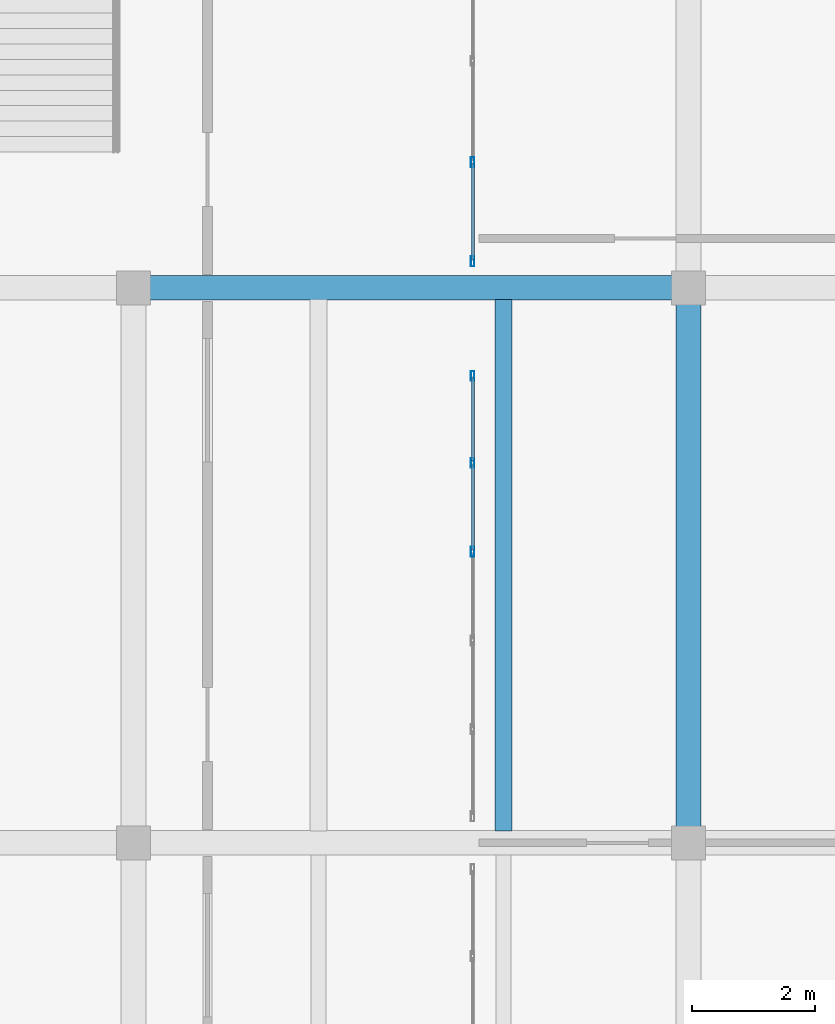
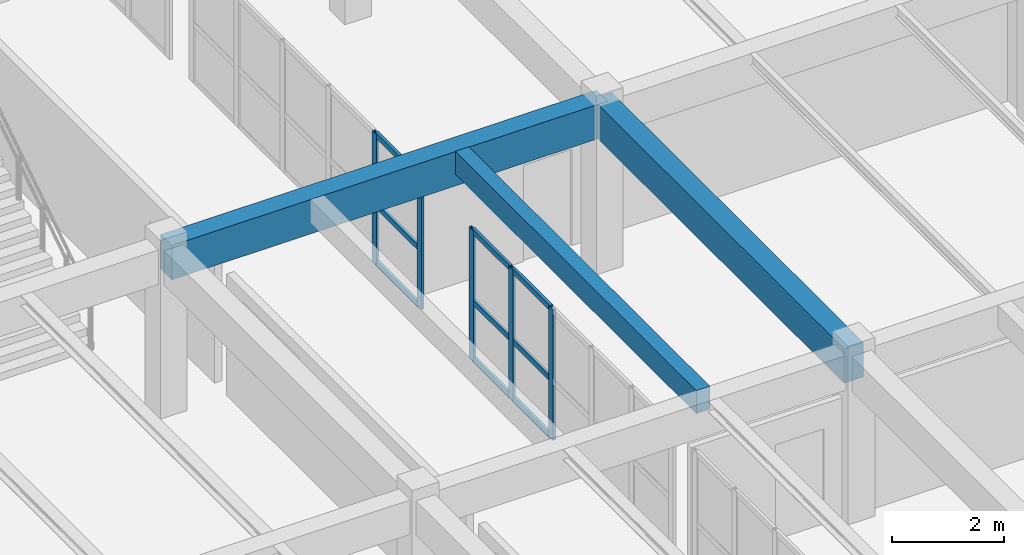
# One storey, part 85 of 156: 14 members, 3 beams, 2 elements without a shape of their own.
"""IFC4 building model written with IfcOpenShell, lengths in metres."""

from ifc_helpers import new_model, si_unit, direction, frame, origin, origin_2d, place, context, subcontext, project, spatial, rectangle, hollow_rectangle, extrude, material, layer, layer_set, material_profile, profile_set, type_object, element, aggregate, save


model = new_model("IFC4")

# Units and contexts
model_context = context("Model", 3, precision=1e-05, world=origin(), true_north=direction((0.0, 1.0)))
body_context = subcontext(model_context, "Body", "Model", "MODEL_VIEW")
ifc_project = project(units=[si_unit("LENGTHUNIT", "METRE"), si_unit("AREAUNIT", "SQUARE_METRE"), si_unit("VOLUMEUNIT", "CUBIC_METRE"), si_unit("PLANEANGLEUNIT", "RADIAN"), si_unit("MASSUNIT", "GRAM", prefix="KILO")], contexts=[model_context])

# Site, building, storey
site_placement = place(None, origin())
site = spatial("IfcSite", under=ifc_project, at=site_placement, CompositionType="ELEMENT")
building_placement = place(site_placement, origin())
building = spatial("IfcBuilding", under=site, at=building_placement, Name="Ornek Quay Market", CompositionType="ELEMENT")
storey_placement = place(building_placement, frame((0.0, 0.0, 4.5)))
storey = spatial("IfcBuildingStorey", under=building, at=storey_placement, Name="L01", CompositionType="ELEMENT", Elevation=4.5)

# Beams
ifc_material_1 = material(Name="Concrete C35/45", Category="concrete")
ifc_material_profile_1 = material_profile(ifc_material_1, rectangle(XDim=0.39990234375, YDim=0.75, at=origin_2d()), Name="RC 400x750", Category="concrete")
ifc_profile_set_1 = profile_set([ifc_material_profile_1], Name="Concrete C35/45")
beam_type_1 = type_object("IfcBeamType", Name="BM-CS-400x750", PredefinedType="BEAM", material=ifc_profile_set_1)
for number, where, z_axis, x_axis, name in (
    (1, (162.0, 47.0, 3.27490234375), (1.0, 0.0, 0.0), (0.0, 1.0, 0.0), "Primary beam B-CS1-038"),
    (2, (171.0, 38.0, 3.27490234375), (0.0, 1.0, 0.0), (-1.0, 0.0, 0.0), "Primary beam B-CS1-051"),
):
    element("IfcBeam", number, at=place(storey_placement, frame(where, z_axis=z_axis, x_axis=x_axis)), inside=storey, type_object=beam_type_1, Name=name, PredefinedType="BEAM", context=body_context, shape_type="SweptSolid", body=[
        extrude(rectangle(XDim=0.39990234375, YDim=0.75, at=origin_2d()), origin(), (0.0, 0.0, 1.0), 9.0),
    ])
ifc_material_profile_2 = material_profile(ifc_material_1, rectangle(XDim=0.280029296875, YDim=0.5, at=origin_2d()), Name="RC 280x500", Category="concrete")
ifc_profile_set_2 = profile_set([ifc_material_profile_2], Name="Concrete C35/45")
beam_type_2 = type_object("IfcBeamType", Name="BM-SEC-280x500", PredefinedType="JOIST", material=ifc_profile_set_2)
beam_placement = place(storey_placement, frame((168.0, 38.19189453125, 3.39990234375), z_axis=(0.0, 1.0, 0.0), x_axis=(-1.0, 0.0, 0.0)))
element("IfcBeam", 3, at=beam_placement, inside=storey, type_object=beam_type_2, Name="Secondary joist B-SC2-088", PredefinedType="JOIST", context=body_context, shape_type="SweptSolid", body=[
    extrude(rectangle(XDim=0.280029296875, YDim=0.5, at=origin_2d()), origin(), (0.0, 0.0, 1.0), 8.6162109375),
])

# Curtain wall, members
ifc_material_2 = material(Name="Anodised bronze aluminium and triple low-e glass", Category="aluminium")
ifc_layer = layer(ifc_material_2, 0.139892578125, Name="Anodised bronze aluminium and triple low-e glass", Category="aluminium")
ifc_layer_set = layer_set([ifc_layer], Name="Anodised bronze aluminium and triple low-e glass")
curtain_wall_type = type_object("IfcCurtainWallType", Name="CW-GALLERY-INT", PredefinedType="USERDEFINED", material=ifc_layer_set)
curtain_wall_1_placement = place(storey_placement, origin())
curtain_wall_1 = element("IfcCurtainWall", 4, at=curtain_wall_1_placement, inside=storey, type_object=curtain_wall_type, Name="Curtain wall CW-164", ObjectType="CURTAIN WALL", PredefinedType="USERDEFINED")
ifc_material_3 = material(Name="Anodised aluminium 6063-T6", Category="aluminium")
ifc_material_profile_3 = material_profile(ifc_material_3, hollow_rectangle(XDim=0.06005859375, YDim=0.159912109375, WallThickness=0.00390625, at=origin_2d()), Name="CW-MUL-60x160", Category="aluminium")
ifc_profile_set_3 = profile_set([ifc_material_profile_3], Name="Anodised aluminium 6063-T6")
member_type_1 = type_object("IfcMemberType", Name="CW-MUL-60x160", PredefinedType="MULLION", material=ifc_profile_set_3)
member_1_placement = place(storey_placement, frame((167.5, 42.719970703125, 0.0), z_axis=(0.0, 0.0, 1.0), x_axis=(-1.0, 0.0, 0.0)))
member_1 = element("IfcMember", 5, at=member_1_placement, type_object=member_type_1, Name="CW-164 mullion 4", PredefinedType="MULLION", context=body_context, shape_type="SweptSolid", body=[
    extrude(hollow_rectangle(XDim=0.06005859375, YDim=0.159912109375, WallThickness=0.00390625, at=origin_2d()), origin(), (0.0, 0.0, 1.0), 2.85009765625),
])
member_2_placement = place(storey_placement, frame((167.5, 44.159912109375, 0.0), z_axis=(0.0, 0.0, 1.0), x_axis=(-1.0, 0.0, 0.0)))
member_2 = element("IfcMember", 6, at=member_2_placement, type_object=member_type_1, Name="CW-164 mullion 5", PredefinedType="MULLION", context=body_context, shape_type="SweptSolid", body=[
    extrude(hollow_rectangle(XDim=0.06005859375, YDim=0.159912109375, WallThickness=0.00390625, at=origin_2d()), origin(), (0.0, 0.0, 1.0), 2.85009765625),
])
member_3_placement = place(storey_placement, frame((167.5, 45.570068359375, 0.0), z_axis=(0.0, 0.0, 1.0), x_axis=(-1.0, 0.0, 0.0)))
member_3 = element("IfcMember", 7, at=member_3_placement, type_object=member_type_1, Name="CW-164 mullion 6", PredefinedType="MULLION", context=body_context, shape_type="SweptSolid", body=[
    extrude(hollow_rectangle(XDim=0.06005859375, YDim=0.159912109375, WallThickness=0.00390625, at=origin_2d()), origin(), (0.0, 0.0, 1.0), 2.85009765625),
])

curtain_wall_2_placement = place(storey_placement, origin())
curtain_wall_2 = element("IfcCurtainWall", 8, at=curtain_wall_2_placement, inside=storey, type_object=curtain_wall_type, Name="Curtain wall CW-165", ObjectType="CURTAIN WALL", PredefinedType="USERDEFINED")
member_4_placement = place(storey_placement, frame((167.5, 47.429931640625, 0.0), z_axis=(0.0, 0.0, 1.0), x_axis=(-1.0, 0.0, 0.0)))
member_4 = element("IfcMember", 9, at=member_4_placement, type_object=member_type_1, Name="CW-165 mullion 1", PredefinedType="MULLION", context=body_context, shape_type="SweptSolid", body=[
    extrude(hollow_rectangle(XDim=0.06005859375, YDim=0.159912109375, WallThickness=0.00390625, at=origin_2d()), origin(), (0.0, 0.0, 1.0), 2.85009765625),
])
member_5_placement = place(storey_placement, frame((167.5, 49.0400390625, 0.0), z_axis=(0.0, 0.0, 1.0), x_axis=(-1.0, 0.0, 0.0)))
member_5 = element("IfcMember", 10, at=member_5_placement, type_object=member_type_1, Name="CW-165 mullion 2", PredefinedType="MULLION", context=body_context, shape_type="SweptSolid", body=[
    extrude(hollow_rectangle(XDim=0.06005859375, YDim=0.159912109375, WallThickness=0.00390625, at=origin_2d()), origin(), (0.0, 0.0, 1.0), 2.85009765625),
])

# Member
ifc_material_profile_4 = material_profile(ifc_material_3, hollow_rectangle(XDim=0.06005859375, YDim=0.1201171875, WallThickness=0.00390625, at=origin_2d()), Name="CW-TRN-60x120", Category="aluminium")
ifc_profile_set_4 = profile_set([ifc_material_profile_4], Name="Anodised aluminium 6063-T6")
member_type_2 = type_object("IfcMemberType", Name="CW-TRN-60x120", PredefinedType="USERDEFINED", material=ifc_profile_set_4)
member_6_placement = place(storey_placement, frame((167.5, 42.75, 0.030029296875), z_axis=(0.0, 1.0, 0.0), x_axis=(-1.0, 0.0, 0.0)))
member_6 = element("IfcMember", 11, at=member_6_placement, type_object=member_type_2, Name="CW-164 transom 4.1", ObjectType="TRANSOM", PredefinedType="USERDEFINED", context=body_context, shape_type="SweptSolid", body=[
    extrude(hollow_rectangle(XDim=0.06005859375, YDim=0.1201171875, WallThickness=0.00390625, at=origin_2d()), origin(), (0.0, 0.0, 1.0), 1.3798828125),
])

member_7_placement = place(storey_placement, frame((167.5, 42.75, 1.282470703125), z_axis=(0.0, 1.0, 0.0), x_axis=(-1.0, 0.0, 0.0)))
member_7 = element("IfcMember", 12, at=member_7_placement, type_object=member_type_2, Name="CW-164 transom 4.2", ObjectType="TRANSOM", PredefinedType="USERDEFINED", context=body_context, shape_type="SweptSolid", body=[
    extrude(hollow_rectangle(XDim=0.06005859375, YDim=0.1201171875, WallThickness=0.00390625, at=origin_2d()), origin(), (0.0, 0.0, 1.0), 1.3798828125),
])

member_8_placement = place(storey_placement, frame((167.5, 42.75, 2.820068359375), z_axis=(0.0, 1.0, 0.0), x_axis=(-1.0, 0.0, 0.0)))
member_8 = element("IfcMember", 13, at=member_8_placement, type_object=member_type_2, Name="CW-164 transom 4.3", ObjectType="TRANSOM", PredefinedType="USERDEFINED", context=body_context, shape_type="SweptSolid", body=[
    extrude(hollow_rectangle(XDim=0.06005859375, YDim=0.1201171875, WallThickness=0.00390625, at=origin_2d()), origin(), (0.0, 0.0, 1.0), 1.3798828125),
])

member_9_placement = place(storey_placement, frame((167.5, 44.18994140625, 0.030029296875), z_axis=(0.0, 1.0, 0.0), x_axis=(-1.0, 0.0, 0.0)))
member_9 = element("IfcMember", 14, at=member_9_placement, type_object=member_type_2, Name="CW-164 transom 5.1", ObjectType="TRANSOM", PredefinedType="USERDEFINED", context=body_context, shape_type="SweptSolid", body=[
    extrude(hollow_rectangle(XDim=0.06005859375, YDim=0.1201171875, WallThickness=0.00390625, at=origin_2d()), origin(), (0.0, 0.0, 1.0), 1.35009765625),
])

member_10_placement = place(storey_placement, frame((167.5, 44.18994140625, 1.282470703125), z_axis=(0.0, 1.0, 0.0), x_axis=(-1.0, 0.0, 0.0)))
member_10 = element("IfcMember", 15, at=member_10_placement, type_object=member_type_2, Name="CW-164 transom 5.2", ObjectType="TRANSOM", PredefinedType="USERDEFINED", context=body_context, shape_type="SweptSolid", body=[
    extrude(hollow_rectangle(XDim=0.06005859375, YDim=0.1201171875, WallThickness=0.00390625, at=origin_2d()), origin(), (0.0, 0.0, 1.0), 1.35009765625),
])

member_11_placement = place(storey_placement, frame((167.5, 44.18994140625, 2.820068359375), z_axis=(0.0, 1.0, 0.0), x_axis=(-1.0, 0.0, 0.0)))
member_11 = element("IfcMember", 16, at=member_11_placement, type_object=member_type_2, Name="CW-164 transom 5.3", ObjectType="TRANSOM", PredefinedType="USERDEFINED", context=body_context, shape_type="SweptSolid", body=[
    extrude(hollow_rectangle(XDim=0.06005859375, YDim=0.1201171875, WallThickness=0.00390625, at=origin_2d()), origin(), (0.0, 0.0, 1.0), 1.35009765625),
])

aggregate(curtain_wall_1, [member_1, member_2, member_3, member_6, member_7, member_8, member_9, member_10, member_11])

member_12_placement = place(storey_placement, frame((167.5, 47.4599609375, 0.030029296875), z_axis=(0.0, 1.0, 0.0), x_axis=(-1.0, 0.0, 0.0)))
member_12 = element("IfcMember", 17, at=member_12_placement, type_object=member_type_2, Name="CW-165 transom 1.1", ObjectType="TRANSOM", PredefinedType="USERDEFINED", context=body_context, shape_type="SweptSolid", body=[
    extrude(hollow_rectangle(XDim=0.06005859375, YDim=0.1201171875, WallThickness=0.00390625, at=origin_2d()), origin(), (0.0, 0.0, 1.0), 1.550048828125),
])

member_13_placement = place(storey_placement, frame((167.5, 47.4599609375, 1.282470703125), z_axis=(0.0, 1.0, 0.0), x_axis=(-1.0, 0.0, 0.0)))
member_13 = element("IfcMember", 18, at=member_13_placement, type_object=member_type_2, Name="CW-165 transom 1.2", ObjectType="TRANSOM", PredefinedType="USERDEFINED", context=body_context, shape_type="SweptSolid", body=[
    extrude(hollow_rectangle(XDim=0.06005859375, YDim=0.1201171875, WallThickness=0.00390625, at=origin_2d()), origin(), (0.0, 0.0, 1.0), 1.550048828125),
])

member_14_placement = place(storey_placement, frame((167.5, 47.4599609375, 2.820068359375), z_axis=(0.0, 1.0, 0.0), x_axis=(-1.0, 0.0, 0.0)))
member_14 = element("IfcMember", 19, at=member_14_placement, type_object=member_type_2, Name="CW-165 transom 1.3", ObjectType="TRANSOM", PredefinedType="USERDEFINED", context=body_context, shape_type="SweptSolid", body=[
    extrude(hollow_rectangle(XDim=0.06005859375, YDim=0.1201171875, WallThickness=0.00390625, at=origin_2d()), origin(), (0.0, 0.0, 1.0), 1.550048828125),
])

aggregate(curtain_wall_2, [member_4, member_5, member_12, member_13, member_14])

save(model, "model.ifc")
